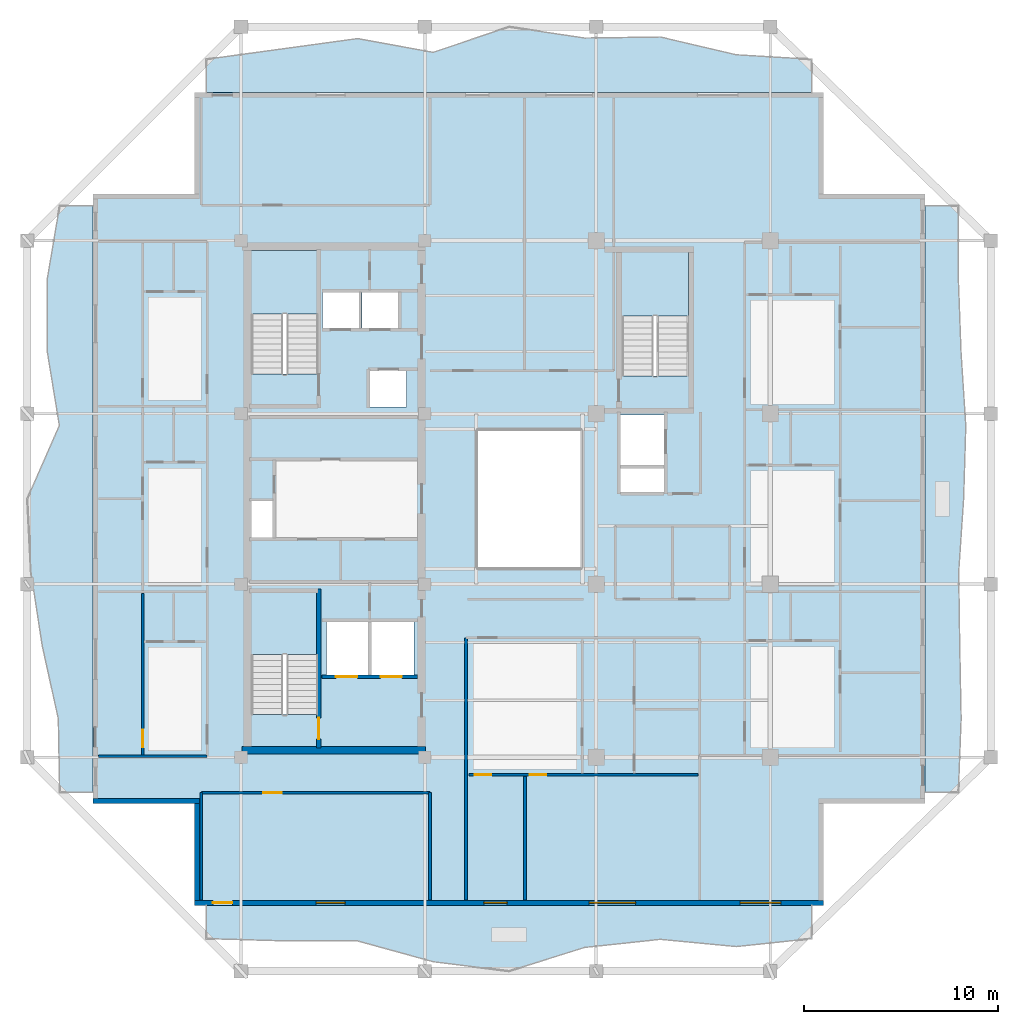
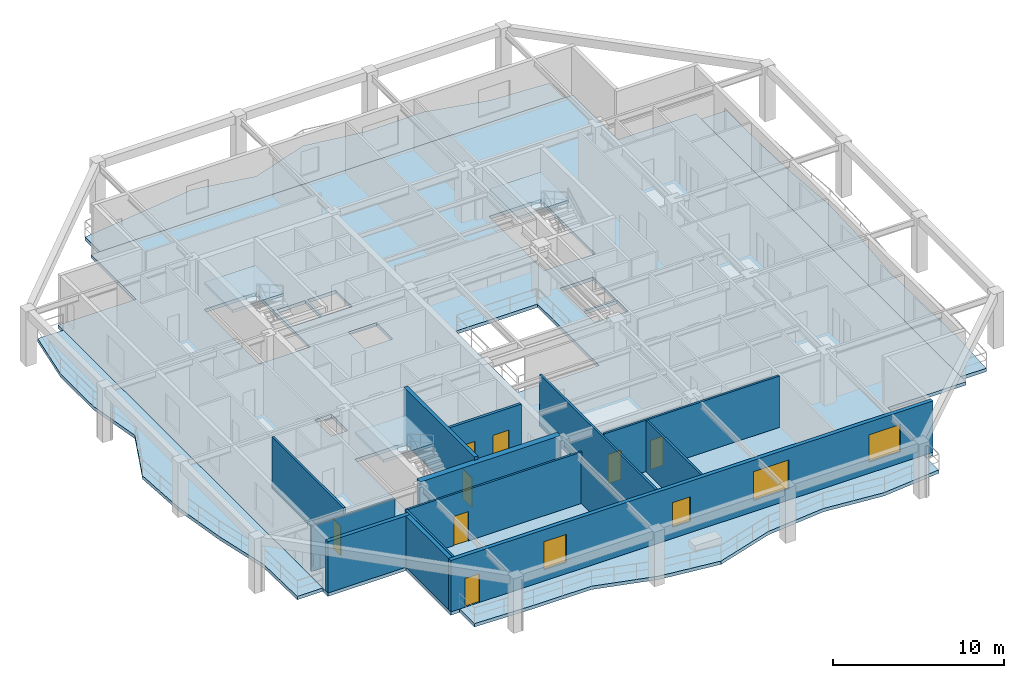
# One storey, part 2 of 13: 14 walls, 8 doors, 8 slabs, 4 windows, 12 openings, 3 elements without a shape of their own.
"""IFC4 building model written with IfcOpenShell, lengths in metres."""

from ifc_helpers import new_model, si_unit, direction, frame, frame_2d, origin, place, context, subcontext, project, spatial, polyline, rectangle, outline, extrude, material, layer, layer_set, type_object, element, fill, aggregate, save


model = new_model("IFC4")

# Units and contexts
model_context = context("Model", 3, precision=1e-05, world=origin(), true_north=direction((0.0, 1.0)))
body_context = subcontext(model_context, "Body", "Model", "MODEL_VIEW")
ifc_project = project(units=[si_unit("LENGTHUNIT", "METRE"), si_unit("AREAUNIT", "SQUARE_METRE"), si_unit("VOLUMEUNIT", "CUBIC_METRE"), si_unit("PLANEANGLEUNIT", "RADIAN"), si_unit("MASSUNIT", "GRAM", prefix="KILO")], contexts=[model_context])

# Site, building, storey
site_placement = place(None, origin())
site = spatial("IfcSite", under=ifc_project, at=site_placement, CompositionType="ELEMENT")
building_placement = place(site_placement, origin())
building = spatial("IfcBuilding", under=site, at=building_placement, Name="Kundavana Baori Tower", CompositionType="ELEMENT")
storey_placement = place(building_placement, frame((0.0, 0.0, 225.800048828125)))
storey = spatial("IfcBuildingStorey", under=building, at=storey_placement, Name="L55", CompositionType="ELEMENT", Elevation=225.800048828125)

# Slab
ifc_material_1 = material(Name="Concrete C40/50", Category="concrete")
ifc_layer_1 = layer(ifc_material_1, 0.239990234375, Name="SLB-FLR-240")
ifc_layer_set_1 = layer_set([ifc_layer_1], Name="Concrete C40/50")
slab_type_1 = type_object("IfcSlabType", Name="SLB-FLR-240", PredefinedType="FLOOR", material=ifc_layer_set_1)
slab_1_placement = place(storey_placement, frame((0.0, 0.0, -0.239990234375)))
element("IfcSlab", 1, at=slab_1_placement, inside=storey, type_object=slab_type_1, Name="L55 Structural Floor Slab", PredefinedType="FLOOR", context=body_context, shape_type="SweptSolid", body=[
    extrude(outline(polyline([(13.050048828125, 7.60009765625), (45.550048828125, 7.60009765625), (45.550048828125, 12.85009765625), (50.800048828125, 12.85009765625), (50.800048828125, 44.35009765625), (45.550048828125, 44.35009765625), (45.550048828125, 49.60009765625), (13.050048828125, 49.60009765625), (13.050048828125, 44.35009765625), (7.800048828125, 44.35009765625), (7.800048828125, 12.85009765625), (13.050048828125, 12.85009765625), (13.050048828125, 7.60009765625)]), holes=[polyline([(19.43994140625, 17.4619140625), (19.43994140625, 23.85009765625), (15.97998046875, 23.85009765625), (15.97998046875, 17.4619140625), (19.43994140625, 17.4619140625)]), polyline([(19.43994140625, 35.06201171875), (19.43994140625, 41.449951171875), (15.97998046875, 41.449951171875), (15.97998046875, 35.06201171875), (19.43994140625, 35.06201171875)]), polyline([(38.580078125, 34.9619140625), (38.580078125, 41.35009765625), (35.1201171875, 41.35009765625), (35.1201171875, 34.9619140625), (38.580078125, 34.9619140625)]), polyline([(19.64990234375, 37.39990234375), (21.550048828125, 37.39990234375), (21.550048828125, 39.300048828125), (19.64990234375, 39.300048828125), (19.64990234375, 37.39990234375)]), polyline([(21.699951171875, 37.39990234375), (23.60009765625, 37.39990234375), (23.60009765625, 39.300048828125), (21.699951171875, 39.300048828125), (21.699951171875, 37.39990234375)]), polyline([(22.10009765625, 33.35009765625), (24.0, 33.35009765625), (24.0, 35.25), (22.10009765625, 35.25), (22.10009765625, 33.35009765625)]), polyline([(19.8798828125, 19.5), (22.02001953125, 19.5), (22.02001953125, 22.25), (19.8798828125, 22.25), (19.8798828125, 19.5)]), polyline([(22.179931640625, 19.5), (24.3798828125, 19.5), (24.3798828125, 22.25), (22.179931640625, 22.25), (22.179931640625, 19.5)]), polyline([(35.050048828125, 30.35009765625), (37.300048828125, 30.35009765625), (37.300048828125, 32.949951171875), (35.050048828125, 32.949951171875), (35.050048828125, 30.35009765625)]), polyline([(15.949951171875, 26.60009765625), (17.080078125, 26.60009765625), (17.080078125, 28.5), (15.949951171875, 28.5), (15.949951171875, 26.60009765625)]), polyline([(35.050048828125, 28.949951171875), (37.300048828125, 28.949951171875), (37.300048828125, 30.199951171875), (35.050048828125, 30.199951171875), (35.050048828125, 28.949951171875)]), polyline([(27.60009765625, 25.0), (33.10009765625, 25.0), (33.10009765625, 32.199951171875), (27.60009765625, 32.199951171875), (27.60009765625, 25.0)])]), origin(), (0.0, 0.0, 1.0), 0.239990234375),
])

# Stair, slab
ifc_material_2 = material(Name="Concrete C40/50", Category="concrete")
stair_type = type_object("IfcStairType", Name="STR-DOG-1650", PredefinedType="HALF_TURN_STAIR", material=ifc_material_2)
stair_1_placement = place(storey_placement, origin())
stair_1 = element("IfcStair", 2, at=stair_1_placement, inside=storey, type_object=stair_type, Name="L55 Protected Exit Stair ST1", PredefinedType="HALF_TURN_STAIR")
ifc_material_3 = material(Name="Concrete C40/50", Category="concrete")
ifc_layer_2 = layer(ifc_material_3, 0.199951171875, Name="SLB-LND-200")
ifc_layer_set_2 = layer_set([ifc_layer_2], Name="Concrete C40/50")
slab_type_2 = type_object("IfcSlabType", Name="SLB-LND-200", PredefinedType="LANDING", material=ifc_layer_set_2)
slab_2_placement = place(storey_placement, frame((0.0, 0.0, 1.75)))
slab_2 = element("IfcSlab", 3, at=slab_2_placement, type_object=slab_type_2, Name="ST1 landing 1", PredefinedType="LANDING", context=body_context, shape_type="SweptSolid", body=[
    extrude(outline(polyline([(19.43994140625, 20.550048828125), (19.43994140625, 23.85009765625), (15.97998046875, 23.85009765625), (15.97998046875, 20.550048828125), (19.43994140625, 20.550048828125)])), origin(), (0.0, 0.0, 1.0), 0.199951171875),
])
aggregate(stair_1, [slab_2])

stair_2_placement = place(storey_placement, origin())
stair_2 = element("IfcStair", 4, at=stair_2_placement, inside=storey, type_object=stair_type, Name="L55 Protected Exit Stair ST2", PredefinedType="HALF_TURN_STAIR")
slab_3_placement = place(storey_placement, frame((0.0, 0.0, 1.75)))
slab_3 = element("IfcSlab", 5, at=slab_3_placement, type_object=slab_type_2, Name="ST2 landing 1", PredefinedType="LANDING", context=body_context, shape_type="SweptSolid", body=[
    extrude(outline(polyline([(19.43994140625, 38.14990234375), (19.43994140625, 41.449951171875), (15.97998046875, 41.449951171875), (15.97998046875, 38.14990234375), (19.43994140625, 38.14990234375)])), origin(), (0.0, 0.0, 1.0), 0.199951171875),
])
aggregate(stair_2, [slab_3])

stair_3_placement = place(storey_placement, origin())
stair_3 = element("IfcStair", 6, at=stair_3_placement, inside=storey, type_object=stair_type, Name="L55 Protected Exit Stair ST3", PredefinedType="HALF_TURN_STAIR")
slab_4_placement = place(storey_placement, frame((0.0, 0.0, 1.75)))
slab_4 = element("IfcSlab", 7, at=slab_4_placement, type_object=slab_type_2, Name="ST3 landing 1", PredefinedType="LANDING", context=body_context, shape_type="SweptSolid", body=[
    extrude(outline(polyline([(38.580078125, 38.050048828125), (38.580078125, 41.35009765625), (35.1201171875, 41.35009765625), (35.1201171875, 38.050048828125), (38.580078125, 38.050048828125)])), origin(), (0.0, 0.0, 1.0), 0.199951171875),
])
aggregate(stair_3, [slab_4])

# Slabs
ifc_material_4 = material(Name="Concrete C40/50", Category="concrete")
ifc_layer_3 = layer(ifc_material_4, 0.239990234375, Name="SLB-LOG-240")
ifc_layer_set_3 = layer_set([ifc_layer_3], Name="Concrete C40/50")
slab_type_3 = type_object("IfcSlabType", Name="SLB-LOG-240", PredefinedType="FLOOR", material=ifc_layer_set_3)
slab_5_placement = place(storey_placement, frame((0.0, 0.0, -0.239990234375)))
element("IfcSlab", 8, at=slab_5_placement, inside=storey, type_object=slab_type_3, Name="L55 Planted Loggia Balcony Slab S", PredefinedType="FLOOR", context=body_context, shape_type="SweptSolid", body=[
    extrude(outline(polyline([(13.64990234375, 7.60009765625), (44.949951171875, 7.60009765625), (44.949951171875, 5.8798828125), (41.0380859375, 5.468994140625), (37.125, 5.843017578125), (33.212890625, 5.425048828125), (29.300048828125, 4.199951171875), (25.387939453125, 4.68505859375), (21.47509765625, 5.761962890625), (17.56201171875, 5.76904296875), (13.64990234375, 5.8798828125), (13.64990234375, 7.60009765625)])), origin(), (0.0, 0.0, 1.0), 0.239990234375),
])
slab_6_placement = place(storey_placement, frame((0.0, 0.0, -0.239990234375)))
element("IfcSlab", 9, at=slab_6_placement, inside=storey, type_object=slab_type_3, Name="L55 Planted Loggia Balcony Slab E", PredefinedType="FLOOR", context=body_context, shape_type="SweptSolid", body=[
    extrude(outline(polyline([(50.800048828125, 13.449951171875), (50.800048828125, 43.75), (52.52001953125, 43.75), (52.52001953125, 39.9619140625), (52.658935546875, 36.175048828125), (52.905029296875, 32.387939453125), (52.79296875, 28.60009765625), (52.537109375, 24.81201171875), (52.591064453125, 21.02490234375), (52.6640625, 17.238037109375), (52.52001953125, 13.449951171875), (50.800048828125, 13.449951171875)])), origin(), (0.0, 0.0, 1.0), 0.239990234375),
])
slab_7_placement = place(storey_placement, frame((0.0, 0.0, -0.239990234375)))
element("IfcSlab", 10, at=slab_7_placement, inside=storey, type_object=slab_type_3, Name="L55 Planted Loggia Balcony Slab N", PredefinedType="FLOOR", context=body_context, shape_type="SweptSolid", body=[
    extrude(outline(polyline([(44.949951171875, 49.60009765625), (13.64990234375, 49.60009765625), (13.64990234375, 51.320068359375), (17.56201171875, 51.85205078125), (21.47509765625, 52.389892578125), (25.387939453125, 51.677001953125), (29.300048828125, 53.0), (33.212890625, 52.4169921875), (37.125, 52.470947265625), (41.0380859375, 51.552001953125), (44.949951171875, 51.320068359375), (44.949951171875, 49.60009765625)])), origin(), (0.0, 0.0, 1.0), 0.239990234375),
])
slab_8_placement = place(storey_placement, frame((0.0, 0.0, -0.239990234375)))
element("IfcSlab", 11, at=slab_8_placement, inside=storey, type_object=slab_type_3, Name="L55 Planted Loggia Balcony Slab W", PredefinedType="FLOOR", context=body_context, shape_type="SweptSolid", body=[
    extrude(outline(polyline([(7.800048828125, 43.75), (7.800048828125, 13.449951171875), (6.080078125, 13.449951171875), (6.010986328125, 17.238037109375), (5.177978515625, 21.02490234375), (4.596923828125, 24.81201171875), (4.39990234375, 28.60009765625), (6.06689453125, 32.387939453125), (5.446044921875, 36.175048828125), (5.43798828125, 39.9619140625), (6.080078125, 43.75), (7.800048828125, 43.75)])), origin(), (0.0, 0.0, 1.0), 0.239990234375),
])

# Wall
ifc_material_5 = material(Name="Concrete C50/60", Category="concrete")
ifc_layer_4 = layer(ifc_material_5, 0.39990234375, Name="WL-CORE-400")
ifc_layer_set_4 = layer_set([ifc_layer_4], Name="Concrete C50/60")
wall_type_1 = type_object("IfcWallType", Name="WL-CORE-400", PredefinedType="SHEAR", material=ifc_layer_set_4)
wall_1_placement = place(storey_placement, frame((15.5, 15.610107421875, 0.0), z_axis=(0.0, 0.0, 1.0), x_axis=(1.0, 0.0, 0.0)))
element("IfcWall", 12, at=wall_1_placement, inside=storey, type_object=wall_type_1, Name="L55 Offset Core South Shear Wall", PredefinedType="SHEAR", context=body_context, shape_type="SweptSolid", body=[
    extrude(rectangle(XDim=9.47998046875, YDim=0.39990234375, at=frame_2d((4.739990234375, 0.0))), origin(), (0.0, 0.0, 1.0), 3.659912109375),
])

# Wall, opening, door
wall_2_placement = place(storey_placement, frame((19.4599609375, 15.739990234375, 0.0), z_axis=(0.0, 0.0, 1.0), x_axis=(0.0, 1.0, 0.0)))
wall_2 = element("IfcWall", 13, at=wall_2_placement, inside=storey, type_object=wall_type_1, Name="WL-L55-ST1-E", PredefinedType="SHEAR", context=body_context, shape_type="SweptSolid", body=[
    extrude(rectangle(XDim=8.199951171875, YDim=0.239990234375, at=frame_2d((4.10009765625, 0.0))), origin(), (0.0, 0.0, 1.0), 3.89990234375),
])
opening_1_placement = place(wall_2_placement, frame((0.449951171875, 0.0, 0.0)))
opening_1 = element("IfcOpeningElement", 14, at=opening_1_placement, cuts=wall_2, Name="Opening FD-110", PredefinedType="OPENING", context=body_context, shape_type="SweptSolid", body=[
    extrude(rectangle(XDim=1.10009765625, YDim=2.10009765625, at=frame_2d((0.550048828125, 1.050048828125))), frame((0.0, 0.1298828125, 0.0), z_axis=(0.0, -1.0, 0.0), x_axis=(1.0, 0.0, 0.0)), (0.0, 0.0, 1.0), 0.260009765625),
])
ifc_material_6 = material(Name="Galvanised Steel Fire-Rated Door Leaf", Category="steel")
door_type_1 = type_object("IfcDoorType", Name="DR-FD120-1100", OperationType="NOTDEFINED", PredefinedType="DOOR", material=ifc_material_6)
door_1_placement = place(opening_1_placement, origin())
door_1 = element("IfcDoor", 15, at=door_1_placement, inside=storey, type_object=door_type_1, Name="DR-L55-ST1", OperationType="SINGLE_SWING_LEFT", OverallHeight=2.10009765625, OverallWidth=1.10009765625, PredefinedType="DOOR", context=body_context, shape_type="SweptSolid", body=[
    extrude(rectangle(XDim=1.10009765625, YDim=2.10009765625, at=frame_2d((0.550048828125, 1.050048828125))), frame((0.0, 0.02490234375, 0.0), z_axis=(0.0, -1.0, 0.0), x_axis=(1.0, 0.0, 0.0)), (0.0, 0.0, 1.0), 0.050048828125),
])
fill(opening_1, door_1)

# Wall, openings, door, windows
ifc_material_7 = material(Name="Kiln-Fired Terracotta Brick-Slip Masonry on Concrete C40/50", Category="masonry")
ifc_layer_5 = layer(ifc_material_7, 0.260009765625, Name="WL-EXT-BRK-260")
ifc_layer_set_5 = layer_set([ifc_layer_5], Name="Kiln-Fired Terracotta Brick-Slip Masonry on Concrete C40/50")
wall_type_2 = type_object("IfcWallType", Name="WL-EXT-BRK-260", PredefinedType="SOLIDWALL", material=ifc_layer_set_5)
wall_3_placement = place(storey_placement, frame((13.050048828125, 7.72998046875, 0.0), z_axis=(0.0, 0.0, 1.0), x_axis=(1.0, 0.0, 0.0)))
wall_3 = element("IfcWall", 16, at=wall_3_placement, inside=storey, type_object=wall_type_2, Name="L55 Exterior Insulated Facade Wall 01", PredefinedType="SOLIDWALL", context=body_context, shape_type="SweptSolid", body=[
    extrude(rectangle(XDim=32.5, YDim=0.260009765625, at=frame_2d((16.25, 0.0))), origin(), (0.0, 0.0, 1.0), 3.659912109375),
])
opening_2_placement = place(wall_3_placement, frame((0.949951171875, 0.0, 0.0)))
opening_2 = element("IfcOpeningElement", 17, at=opening_2_placement, cuts=wall_3, Name="Opening BD-1", PredefinedType="OPENING", context=body_context, shape_type="SweptSolid", body=[
    extrude(rectangle(XDim=1.0, YDim=2.050048828125, at=frame_2d((0.5, 1.02490234375))), frame((0.0, 0.14013671875, 0.0), z_axis=(0.0, -1.0, 0.0), x_axis=(1.0, 0.0, 0.0)), (0.0, 0.0, 1.0), 0.280029296875),
])
opening_3_placement = place(wall_3_placement, frame((6.284912109375, 0.0, 0.800048828125)))
opening_3 = element("IfcOpeningElement", 18, at=opening_3_placement, cuts=wall_3, Name="Opening W-02", PredefinedType="OPENING", context=body_context, shape_type="SweptSolid", body=[
    extrude(rectangle(XDim=1.5, YDim=2.0, at=frame_2d((0.75, 1.0))), frame((0.0, 0.14013671875, 0.0), z_axis=(0.0, -1.0, 0.0), x_axis=(1.0, 0.0, 0.0)), (0.0, 0.0, 1.0), 0.280029296875),
])
opening_4_placement = place(wall_3_placement, frame((14.951904296875, 0.0, 0.800048828125)))
opening_4 = element("IfcOpeningElement", 19, at=opening_4_placement, cuts=wall_3, Name="Opening W-03", PredefinedType="OPENING", context=body_context, shape_type="SweptSolid", body=[
    extrude(rectangle(XDim=1.199951171875, YDim=1.75, at=frame_2d((0.60009765625, 0.875))), frame((0.0, 0.14013671875, 0.0), z_axis=(0.0, -1.0, 0.0), x_axis=(1.0, 0.0, 0.0)), (0.0, 0.0, 1.0), 0.280029296875),
])
opening_5_placement = place(wall_3_placement, frame((20.387939453125, 0.0, 0.800048828125)))
opening_5 = element("IfcOpeningElement", 20, at=opening_5_placement, cuts=wall_3, Name="Opening W-04", PredefinedType="OPENING", context=body_context, shape_type="SweptSolid", body=[
    extrude(rectangle(XDim=2.39990234375, YDim=2.050048828125, at=frame_2d((1.199951171875, 1.02490234375))), frame((0.0, 0.14013671875, 0.0), z_axis=(0.0, -1.0, 0.0), x_axis=(1.0, 0.0, 0.0)), (0.0, 0.0, 1.0), 0.280029296875),
])
opening_6_placement = place(wall_3_placement, frame((28.195068359375, 0.0, 0.800048828125)))
opening_6 = element("IfcOpeningElement", 21, at=opening_6_placement, cuts=wall_3, Name="Opening W-05", PredefinedType="OPENING", context=body_context, shape_type="SweptSolid", body=[
    extrude(rectangle(XDim=2.10009765625, YDim=1.949951171875, at=frame_2d((1.050048828125, 0.97509765625))), frame((0.0, 0.14013671875, 0.0), z_axis=(0.0, -1.0, 0.0), x_axis=(1.0, 0.0, 0.0)), (0.0, 0.0, 1.0), 0.280029296875),
])
ifc_material_8 = material(Name="Architectural Patinated Bronze Metalwork")
door_type_2 = type_object("IfcDoorType", Name="DR-EXT-LOG-1000", OperationType="NOTDEFINED", PredefinedType="DOOR", material=ifc_material_8)
door_2_placement = place(opening_2_placement, frame((1.0, 0.0, 0.0), z_axis=(0.0, 0.0, 1.0), x_axis=(-1.0, 0.0, 0.0)))
door_2 = element("IfcDoor", 22, at=door_2_placement, inside=storey, type_object=door_type_2, Name="L55 Loggia Balcony Access Door S", OperationType="SINGLE_SWING_LEFT", OverallHeight=2.050048828125, OverallWidth=1.0, PredefinedType="DOOR", context=body_context, shape_type="SweptSolid", body=[
    extrude(rectangle(XDim=1.0, YDim=2.050048828125, at=frame_2d((0.5, 1.02490234375))), frame((0.0, 0.02490234375, 0.0), z_axis=(0.0, -1.0, 0.0), x_axis=(1.0, 0.0, 0.0)), (0.0, 0.0, 1.0), 0.050048828125),
])
fill(opening_2, door_2)
ifc_material_9 = material(Name="Double-Glazed Solar-Control Low-E Insulated Glass", Category="glass")
window_type_1 = type_object("IfcWindowType", Name="WIN-LOG-1200x1750", PartitioningType="SINGLE_PANEL", PredefinedType="WINDOW", material=ifc_material_9)
window_1_placement = place(opening_4_placement, origin())
window_1 = element("IfcWindow", 23, at=window_1_placement, inside=storey, type_object=window_type_1, Name="L55 Recessed Loggia Window S-2", OverallHeight=1.75, OverallWidth=1.199951171875, PartitioningType="SINGLE_PANEL", PredefinedType="WINDOW", context=body_context, shape_type="SweptSolid", body=[
    extrude(rectangle(XDim=1.199951171875, YDim=1.75, at=frame_2d((0.60009765625, 0.875))), frame((0.0, 0.030029296875, 0.0), z_axis=(0.0, -1.0, 0.0), x_axis=(1.0, 0.0, 0.0)), (0.0, 0.0, 1.0), 0.06005859375),
])
fill(opening_4, window_1)
ifc_material_10 = material(Name="Double-Glazed Solar-Control Low-E Insulated Glass", Category="glass")
window_type_2 = type_object("IfcWindowType", Name="WIN-LOG-1500x2000", PartitioningType="SINGLE_PANEL", PredefinedType="WINDOW", material=ifc_material_10)
window_2_placement = place(opening_3_placement, origin())
window_2 = element("IfcWindow", 24, at=window_2_placement, inside=storey, type_object=window_type_2, Name="L55 Recessed Loggia Window S-1", OverallHeight=2.0, OverallWidth=1.5, PartitioningType="SINGLE_PANEL", PredefinedType="WINDOW", context=body_context, shape_type="SweptSolid", body=[
    extrude(rectangle(XDim=1.5, YDim=2.0, at=frame_2d((0.75, 1.0))), frame((0.0, 0.030029296875, 0.0), z_axis=(0.0, -1.0, 0.0), x_axis=(1.0, 0.0, 0.0)), (0.0, 0.0, 1.0), 0.06005859375),
])
fill(opening_3, window_2)
ifc_material_11 = material(Name="Double-Glazed Solar-Control Low-E Insulated Glass", Category="glass")
window_type_3 = type_object("IfcWindowType", Name="WIN-LOG-2100x1950", PartitioningType="SINGLE_PANEL", PredefinedType="WINDOW", material=ifc_material_11)
window_3_placement = place(opening_6_placement, origin())
window_3 = element("IfcWindow", 25, at=window_3_placement, inside=storey, type_object=window_type_3, Name="L55 Recessed Loggia Window S-4", OverallHeight=1.949951171875, OverallWidth=2.10009765625, PartitioningType="SINGLE_PANEL", PredefinedType="WINDOW", context=body_context, shape_type="SweptSolid", body=[
    extrude(rectangle(XDim=2.10009765625, YDim=1.949951171875, at=frame_2d((1.050048828125, 0.97509765625))), frame((0.0, 0.030029296875, 0.0), z_axis=(0.0, -1.0, 0.0), x_axis=(1.0, 0.0, 0.0)), (0.0, 0.0, 1.0), 0.06005859375),
])
fill(opening_6, window_3)
ifc_material_12 = material(Name="Double-Glazed Solar-Control Low-E Insulated Glass", Category="glass")
window_type_4 = type_object("IfcWindowType", Name="WIN-LOG-2400x2050", PartitioningType="SINGLE_PANEL", PredefinedType="WINDOW", material=ifc_material_12)
window_4_placement = place(opening_5_placement, origin())
window_4 = element("IfcWindow", 26, at=window_4_placement, inside=storey, type_object=window_type_4, Name="L55 Recessed Loggia Window S-3", OverallHeight=2.050048828125, OverallWidth=2.39990234375, PartitioningType="SINGLE_PANEL", PredefinedType="WINDOW", context=body_context, shape_type="SweptSolid", body=[
    extrude(rectangle(XDim=2.39990234375, YDim=2.050048828125, at=frame_2d((1.199951171875, 1.02490234375))), frame((0.0, 0.030029296875, 0.0), z_axis=(0.0, -1.0, 0.0), x_axis=(1.0, 0.0, 0.0)), (0.0, 0.0, 1.0), 0.06005859375),
])
fill(opening_5, window_4)

# Walls
wall_4_placement = place(storey_placement, frame((7.800048828125, 12.97998046875, 0.0), z_axis=(0.0, 0.0, 1.0), x_axis=(1.0, 0.0, 0.0)))
element("IfcWall", 27, at=wall_4_placement, inside=storey, type_object=wall_type_2, Name="L55 Exterior Insulated Facade Wall 11", PredefinedType="SOLIDWALL", context=body_context, shape_type="SweptSolid", body=[
    extrude(rectangle(XDim=5.510009765625, YDim=0.260009765625, at=frame_2d((2.7548828125, 0.0))), origin(), (0.0, 0.0, 1.0), 3.659912109375),
])
wall_5_placement = place(storey_placement, frame((13.179931640625, 12.85009765625, 0.0), z_axis=(0.0, 0.0, 1.0), x_axis=(0.0, -1.0, 0.0)))
element("IfcWall", 28, at=wall_5_placement, inside=storey, type_object=wall_type_2, Name="L55 Exterior Insulated Facade Wall 12", PredefinedType="SOLIDWALL", context=body_context, shape_type="SweptSolid", body=[
    extrude(rectangle(XDim=4.989990234375, YDim=0.260009765625, at=frame_2d((2.4951171875, 0.0))), origin(), (0.0, 0.0, 1.0), 3.659912109375),
])
ifc_material_13 = material(Name="Acoustic Gypsum Plasterboard on Galvanised Steel Studs", Category="steel")
ifc_layer_6 = layer(ifc_material_13, 0.135009765625, Name="WL-PART-135")
ifc_layer_set_6 = layer_set([ifc_layer_6], Name="Acoustic Gypsum Plasterboard on Galvanised Steel Studs")
wall_type_3 = type_object("IfcWallType", Name="WL-PART-135", PredefinedType="PARTITIONING", material=ifc_layer_set_6)
wall_6_placement = place(storey_placement, frame((27.080078125, 7.8798828125, 0.0), z_axis=(0.0, 0.0, 1.0), x_axis=(0.0, 1.0, 0.0)))
element("IfcWall", 29, at=wall_6_placement, inside=storey, type_object=wall_type_3, Name="WL-L55-RSW", PredefinedType="PARTITIONING", context=body_context, shape_type="SweptSolid", body=[
    extrude(rectangle(XDim=13.5400390625, YDim=0.135009765625, at=frame_2d((6.77001953125, 0.0))), origin(), (0.0, 0.0, 1.0), 3.659912109375),
])

# Wall, opening, door
wall_7_placement = place(storey_placement, frame((13.39990234375, 13.419921875, 0.0), z_axis=(0.0, 0.0, 1.0), x_axis=(1.0, 0.0, 0.0)))
wall_7 = element("IfcWall", 30, at=wall_7_placement, inside=storey, type_object=wall_type_3, Name="WL-L55-RSC", PredefinedType="PARTITIONING", context=body_context, shape_type="SweptSolid", body=[
    extrude(rectangle(XDim=11.820068359375, YDim=0.135009765625, at=frame_2d((5.91015625, 0.0))), origin(), (0.0, 0.0, 1.0), 3.659912109375),
])
opening_7_placement = place(wall_7_placement, frame((3.199951171875, 0.0, 0.0)))
opening_7 = element("IfcOpeningElement", 31, at=opening_7_placement, cuts=wall_7, Name="Opening ID-095", PredefinedType="OPENING", context=body_context, shape_type="SweptSolid", body=[
    extrude(rectangle(XDim=0.949951171875, YDim=2.080078125, at=frame_2d((0.47509765625, 1.0400390625))), frame((0.0, 0.07763671875, 0.0), z_axis=(0.0, -1.0, 0.0), x_axis=(1.0, 0.0, 0.0)), (0.0, 0.0, 1.0), 0.155029296875),
])
ifc_material_14 = material(Name="Engineered Teak Solid-Core Timber Veneer", Category="wood")
door_type_3 = type_object("IfcDoorType", Name="DR-INT-950", OperationType="NOTDEFINED", PredefinedType="DOOR", material=ifc_material_14)
door_3_placement = place(opening_7_placement, frame((0.949951171875, 0.0, 0.0), z_axis=(0.0, 0.0, 1.0), x_axis=(-1.0, 0.0, 0.0)))
door_3 = element("IfcDoor", 32, at=door_3_placement, inside=storey, type_object=door_type_3, Name="DR-L55-RMSW", OperationType="SINGLE_SWING_LEFT", OverallHeight=2.080078125, OverallWidth=0.949951171875, PredefinedType="DOOR", context=body_context, shape_type="SweptSolid", body=[
    extrude(rectangle(XDim=0.949951171875, YDim=2.080078125, at=frame_2d((0.47509765625, 1.0400390625))), frame((0.0, 0.02490234375, 0.0), z_axis=(0.0, -1.0, 0.0), x_axis=(1.0, 0.0, 0.0)), (0.0, 0.0, 1.0), 0.050048828125),
])
fill(opening_7, door_3)

# Walls
wall_8_placement = place(storey_placement, frame((13.39990234375, 7.8798828125, 0.0), z_axis=(0.0, 0.0, 1.0), x_axis=(0.0, 1.0, 0.0)))
element("IfcWall", 33, at=wall_8_placement, inside=storey, type_object=wall_type_3, Name="WL-L55-RSCW", PredefinedType="PARTITIONING", context=body_context, shape_type="SweptSolid", body=[
    extrude(rectangle(XDim=5.5400390625, YDim=0.135009765625, at=frame_2d((2.77001953125, 0.0))), origin(), (0.0, 0.0, 1.0), 3.659912109375),
])
wall_9_placement = place(storey_placement, frame((25.219970703125, 7.8798828125, 0.0), z_axis=(0.0, 0.0, 1.0), x_axis=(0.0, 1.0, 0.0)))
element("IfcWall", 34, at=wall_9_placement, inside=storey, type_object=wall_type_3, Name="WL-L55-RSCE", PredefinedType="PARTITIONING", context=body_context, shape_type="SweptSolid", body=[
    extrude(rectangle(XDim=5.5400390625, YDim=0.135009765625, at=frame_2d((2.77001953125, 0.0))), origin(), (0.0, 0.0, 1.0), 3.2099609375),
])
wall_10_placement = place(storey_placement, frame((8.080078125, 15.300048828125, 0.0), z_axis=(0.0, 0.0, 1.0), x_axis=(1.0, 0.0, 0.0)))
element("IfcWall", 35, at=wall_10_placement, inside=storey, type_object=wall_type_3, Name="WL-L55-RWS", PredefinedType="PARTITIONING", context=body_context, shape_type="SweptSolid", body=[
    extrude(rectangle(XDim=5.619873046875, YDim=0.135009765625, at=frame_2d((2.81005859375, 0.0))), origin(), (0.0, 0.0, 1.0), 3.2099609375),
])

# Wall, opening, door
wall_11_placement = place(storey_placement, frame((10.3701171875, 15.3798828125, 0.0), z_axis=(0.0, 0.0, 1.0), x_axis=(0.0, 1.0, 0.0)))
wall_11 = element("IfcWall", 36, at=wall_11_placement, inside=storey, type_object=wall_type_3, Name="WL-L55-W1-VT", PredefinedType="PARTITIONING", context=body_context, shape_type="SweptSolid", body=[
    extrude(rectangle(XDim=8.340087890625, YDim=0.135009765625, at=frame_2d((4.169921875, 0.0))), origin(), (0.0, 0.0, 1.0), 3.659912109375),
])
opening_8_placement = place(wall_11_placement, frame((0.39990234375, 0.0, 0.0)))
opening_8 = element("IfcOpeningElement", 37, at=opening_8_placement, cuts=wall_11, Name="Opening ID-090", PredefinedType="OPENING", context=body_context, shape_type="SweptSolid", body=[
    extrude(rectangle(XDim=0.89990234375, YDim=2.080078125, at=frame_2d((0.449951171875, 1.0400390625))), frame((0.0, 0.07763671875, 0.0), z_axis=(0.0, -1.0, 0.0), x_axis=(1.0, 0.0, 0.0)), (0.0, 0.0, 1.0), 0.155029296875),
])
ifc_material_15 = material(Name="Engineered Teak Solid-Core Timber Veneer", Category="wood")
door_type_4 = type_object("IfcDoorType", Name="DR-INT-900", OperationType="NOTDEFINED", PredefinedType="DOOR", material=ifc_material_15)
door_4_placement = place(opening_8_placement, frame((0.89990234375, 0.0, 0.0), z_axis=(0.0, 0.0, 1.0), x_axis=(-1.0, 0.0, 0.0)))
door_4 = element("IfcDoor", 38, at=door_4_placement, inside=storey, type_object=door_type_4, Name="DR-L55-W1-B1", OperationType="SINGLE_SWING_LEFT", OverallHeight=2.080078125, OverallWidth=0.89990234375, PredefinedType="DOOR", context=body_context, shape_type="SweptSolid", body=[
    extrude(rectangle(XDim=0.89990234375, YDim=2.080078125, at=frame_2d((0.449951171875, 1.0400390625))), frame((0.0, 0.02490234375, 0.0), z_axis=(0.0, -1.0, 0.0), x_axis=(1.0, 0.0, 0.0)), (0.0, 0.0, 1.0), 0.050048828125),
])
fill(opening_8, door_4)

# Wall, openings, doors
wall_12_placement = place(storey_placement, frame((27.239990234375, 14.341064453125, 0.0), z_axis=(0.0, 0.0, 1.0), x_axis=(1.0, 0.0, 0.0)))
wall_12 = element("IfcWall", 39, at=wall_12_placement, inside=storey, type_object=wall_type_3, Name="WL-L55-S1-HZ", PredefinedType="PARTITIONING", context=body_context, shape_type="SweptSolid", body=[
    extrude(rectangle(XDim=11.830078125, YDim=0.135009765625, at=frame_2d((5.9150390625, 0.0))), origin(), (0.0, 0.0, 1.0), 3.659912109375),
])
opening_9_placement = place(wall_12_placement, frame((0.300048828125, 0.0, 0.0)))
opening_9 = element("IfcOpeningElement", 40, at=opening_9_placement, cuts=wall_12, Name="Opening ID-085", PredefinedType="OPENING", context=body_context, shape_type="SweptSolid", body=[
    extrude(rectangle(XDim=0.85009765625, YDim=2.080078125, at=frame_2d((0.425048828125, 1.0400390625))), frame((0.0, 0.07763671875, 0.0), z_axis=(0.0, -1.0, 0.0), x_axis=(1.0, 0.0, 0.0)), (0.0, 0.0, 1.0), 0.155029296875),
])
opening_10_placement = place(wall_12_placement, frame((3.135009765625, 0.0, 0.0)))
opening_10 = element("IfcOpeningElement", 41, at=opening_10_placement, cuts=wall_12, Name="Opening ID-085", PredefinedType="OPENING", context=body_context, shape_type="SweptSolid", body=[
    extrude(rectangle(XDim=0.85009765625, YDim=2.080078125, at=frame_2d((0.425048828125, 1.0400390625))), frame((0.0, 0.07763671875, 0.0), z_axis=(0.0, -1.0, 0.0), x_axis=(1.0, 0.0, 0.0)), (0.0, 0.0, 1.0), 0.155029296875),
])
ifc_material_16 = material(Name="Engineered Teak Solid-Core Timber Veneer", Category="wood")
door_type_5 = type_object("IfcDoorType", Name="DR-INT-850", OperationType="NOTDEFINED", PredefinedType="DOOR", material=ifc_material_16)
door_5_placement = place(opening_9_placement, frame((0.85009765625, 0.0, 0.0), z_axis=(0.0, 0.0, 1.0), x_axis=(-1.0, 0.0, 0.0)))
door_5 = element("IfcDoor", 42, at=door_5_placement, inside=storey, type_object=door_type_5, Name="DR-L55-S1-B1", OperationType="SINGLE_SWING_LEFT", OverallHeight=2.080078125, OverallWidth=0.85009765625, PredefinedType="DOOR", context=body_context, shape_type="SweptSolid", body=[
    extrude(rectangle(XDim=0.85009765625, YDim=2.080078125, at=frame_2d((0.425048828125, 1.0400390625))), frame((0.0, 0.02490234375, 0.0), z_axis=(0.0, -1.0, 0.0), x_axis=(1.0, 0.0, 0.0)), (0.0, 0.0, 1.0), 0.050048828125),
])
fill(opening_9, door_5)
door_6_placement = place(opening_10_placement, frame((0.85009765625, 0.0, 0.0), z_axis=(0.0, 0.0, 1.0), x_axis=(-1.0, 0.0, 0.0)))
door_6 = element("IfcDoor", 43, at=door_6_placement, inside=storey, type_object=door_type_5, Name="DR-L55-S1-B2", OperationType="SINGLE_SWING_RIGHT", OverallHeight=2.080078125, OverallWidth=0.85009765625, PredefinedType="DOOR", context=body_context, shape_type="SweptSolid", body=[
    extrude(rectangle(XDim=0.85009765625, YDim=2.080078125, at=frame_2d((0.425048828125, 1.0400390625))), frame((0.0, 0.02490234375, 0.0), z_axis=(0.0, -1.0, 0.0), x_axis=(1.0, 0.0, 0.0)), (0.0, 0.0, 1.0), 0.050048828125),
])
fill(opening_10, door_6)

# Wall
wall_13_placement = place(storey_placement, frame((30.125, 7.8798828125, 0.0), z_axis=(0.0, 0.0, 1.0), x_axis=(0.0, 1.0, 0.0)))
element("IfcWall", 44, at=wall_13_placement, inside=storey, type_object=wall_type_3, Name="WL-L55-S1-BDV", PredefinedType="PARTITIONING", context=body_context, shape_type="SweptSolid", body=[
    extrude(rectangle(XDim=6.381103515625, YDim=0.135009765625, at=frame_2d((3.1904296875, 0.0))), origin(), (0.0, 0.0, 1.0), 3.659912109375),
])

# Wall, openings, doors
ifc_material_17 = material(Name="Autoclaved Aerated Concrete Blockwork Masonry", Category="masonry")
ifc_layer_7 = layer(ifc_material_17, 0.179931640625, Name="WL-SHAFT-180")
ifc_layer_set_7 = layer_set([ifc_layer_7], Name="Autoclaved Aerated Concrete Blockwork Masonry")
wall_type_4 = type_object("IfcWallType", Name="WL-SHAFT-180", PredefinedType="SOLIDWALL", material=ifc_layer_set_7)
wall_14_placement = place(storey_placement, frame((19.639892578125, 19.419921875, 0.0), z_axis=(0.0, 0.0, 1.0), x_axis=(1.0, 0.0, 0.0)))
wall_14 = element("IfcWall", 45, at=wall_14_placement, inside=storey, type_object=wall_type_4, Name="WL-L55-FFL-S", PredefinedType="SOLIDWALL", context=body_context, shape_type="SweptSolid", body=[
    extrude(rectangle(XDim=4.940185546875, YDim=0.179931640625, at=frame_2d((2.47021484375, 0.0))), origin(), (0.0, 0.0, 1.0), 3.659912109375),
])
opening_11_placement = place(wall_14_placement, frame((0.719970703125, 0.0, 0.0)))
opening_11 = element("IfcOpeningElement", 46, at=opening_11_placement, cuts=wall_14, Name="Opening LD-110", PredefinedType="OPENING", context=body_context, shape_type="SweptSolid", body=[
    extrude(rectangle(XDim=1.10009765625, YDim=2.10009765625, at=frame_2d((0.550048828125, 1.050048828125))), frame((0.0, 0.10009765625, 0.0), z_axis=(0.0, -1.0, 0.0), x_axis=(1.0, 0.0, 0.0)), (0.0, 0.0, 1.0), 0.199951171875),
])
opening_12_placement = place(wall_14_placement, frame((3.02001953125, 0.0, 0.0)))
opening_12 = element("IfcOpeningElement", 47, at=opening_12_placement, cuts=wall_14, Name="Opening LD-110", PredefinedType="OPENING", context=body_context, shape_type="SweptSolid", body=[
    extrude(rectangle(XDim=1.10009765625, YDim=2.10009765625, at=frame_2d((0.550048828125, 1.050048828125))), frame((0.0, 0.10009765625, 0.0), z_axis=(0.0, -1.0, 0.0), x_axis=(1.0, 0.0, 0.0)), (0.0, 0.0, 1.0), 0.199951171875),
])
ifc_material_18 = material(Name="Galvanised Steel Fire-Rated Door Leaf", Category="steel")
door_type_6 = type_object("IfcDoorType", Name="DR-SLIDE-LD1100", OperationType="NOTDEFINED", PredefinedType="DOOR", material=ifc_material_18)
door_7_placement = place(opening_11_placement, origin())
door_7 = element("IfcDoor", 48, at=door_7_placement, inside=storey, type_object=door_type_6, Name="DR-L55-LD-FFL-1", OperationType="DOUBLE_DOOR_SLIDING", OverallHeight=2.10009765625, OverallWidth=1.10009765625, PredefinedType="DOOR", context=body_context, shape_type="SweptSolid", body=[
    extrude(rectangle(XDim=1.10009765625, YDim=2.10009765625, at=frame_2d((0.550048828125, 1.050048828125))), frame((0.0, 0.02490234375, 0.0), z_axis=(0.0, -1.0, 0.0), x_axis=(1.0, 0.0, 0.0)), (0.0, 0.0, 1.0), 0.050048828125),
])
fill(opening_11, door_7)
door_8_placement = place(opening_12_placement, origin())
door_8 = element("IfcDoor", 49, at=door_8_placement, inside=storey, type_object=door_type_6, Name="DR-L55-LD-FFL-2", OperationType="DOUBLE_DOOR_SLIDING", OverallHeight=2.10009765625, OverallWidth=1.10009765625, PredefinedType="DOOR", context=body_context, shape_type="SweptSolid", body=[
    extrude(rectangle(XDim=1.10009765625, YDim=2.10009765625, at=frame_2d((0.550048828125, 1.050048828125))), frame((0.0, 0.02490234375, 0.0), z_axis=(0.0, -1.0, 0.0), x_axis=(1.0, 0.0, 0.0)), (0.0, 0.0, 1.0), 0.050048828125),
])
fill(opening_12, door_8)

save(model, "model.ifc")
